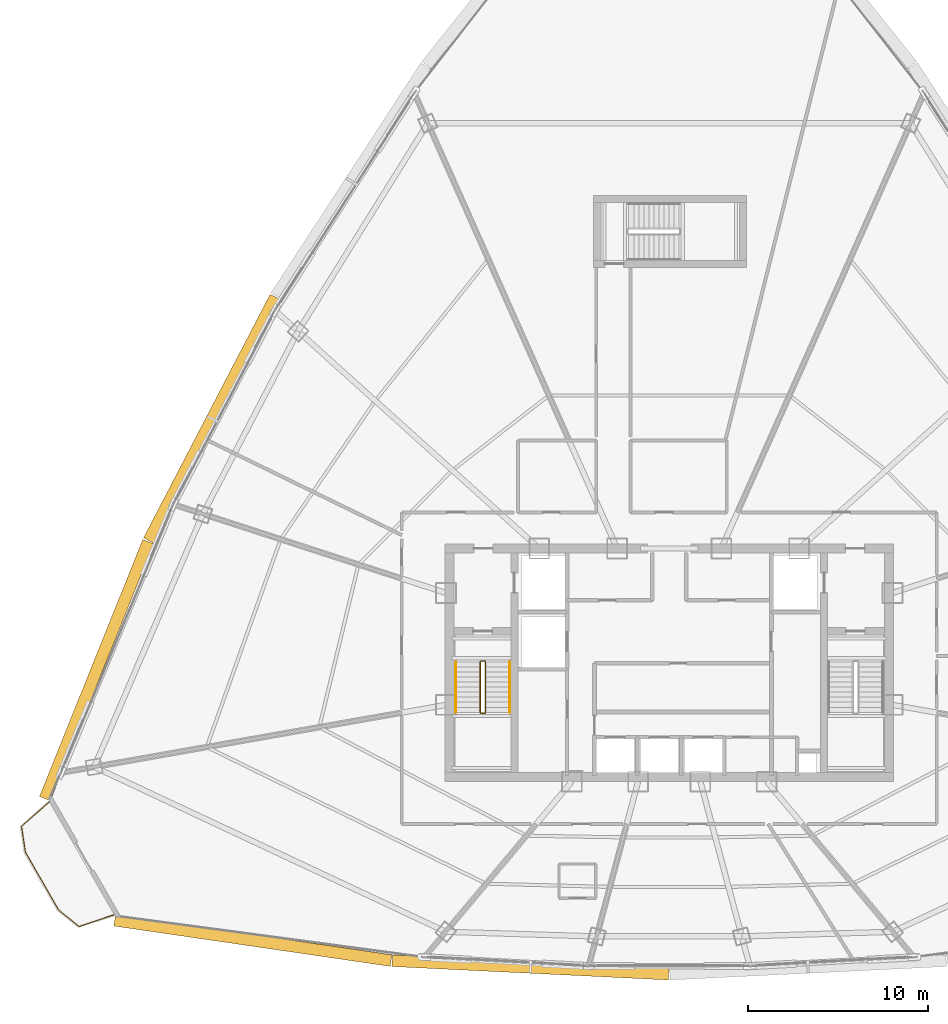
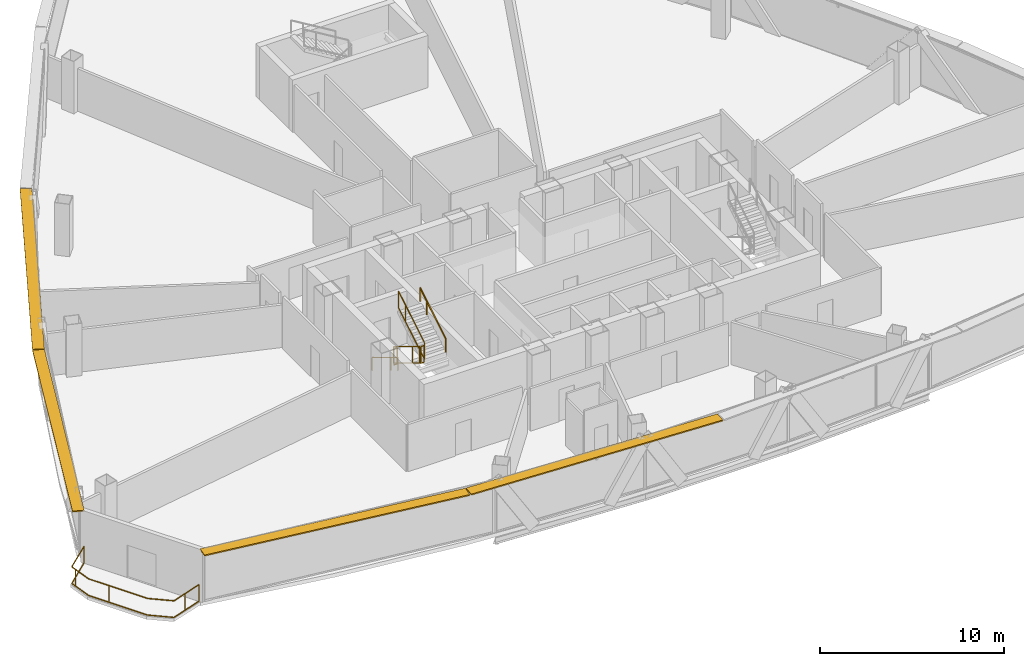
# One storey, part 34 of 37: 7 railings, 4 shading devices.
"""IFC4 building model written with IfcOpenShell, lengths in metres."""

import ifcopenshell
import ifcopenshell.guid

model = None  # the IFC model being written
_history = None  # IfcOwnerHistory: only IFC2X3 demands one
_inside = {}  # id of a spatial element -> (the spatial element, [elements in it])
_under = {}  # id of a project, library or spatial element -> (it, [spatial elements below it])
_declared = {}  # id of a project -> (the project, [libraries it declares])
_typed = {}  # id of a type object -> (the type object, [elements of that type])
_made_of = {}  # id of a material, layer set ... -> (it, [elements and type objects made of it])


def new_model(schema):
    """Start an empty IFC model of exactly this schema.

    Asked for "IFC4X3", IfcOpenShell would pick the latest addendum, in which some entities
    have other attributes; the version numbers below select the first issue.
    IFC2X3 requires an IfcOwnerHistory on every rooted entity: one is made here for all.
    """
    global model, _history
    if schema == "IFC4X3":
        model = ifcopenshell.file(schema_version=(4, 3, 0, 0))
    else:
        model = ifcopenshell.file(schema=schema)
    _inside.clear()
    _under.clear()
    _declared.clear()
    _typed.clear()
    _made_of.clear()
    _history = None
    if model.schema == "IFC2X3":
        org = make("IfcOrganization", Name="unknown")
        user = make(
            "IfcPersonAndOrganization",
            ThePerson=make("IfcPerson", FamilyName="unknown"),
            TheOrganization=org,
        )
        app = make(
            "IfcApplication",
            ApplicationDeveloper=org,
            Version="unknown",
            ApplicationFullName="unknown",
            ApplicationIdentifier="unknown",
        )
        _history = make(
            "IfcOwnerHistory",
            OwningUser=user,
            OwningApplication=app,
            ChangeAction="ADDED",
            CreationDate=0,
        )
    return model


def make(cls, **values):
    """One entity of the class cls with the attributes given. An attribute that is None is left unset."""
    return model.create_entity(
        cls, **{name: value for name, value in values.items() if value is not None}
    )


def rooted(cls, **values):
    """An entity with a GlobalId (a new one), such as an element, a storey or a relation."""
    return make(cls, GlobalId=ifcopenshell.guid.new(), OwnerHistory=_history, **values)


def si_unit(unit_type, name, prefix=None):
    """IfcSIUnit, for example si_unit("LENGTHUNIT", "METRE", prefix="MILLI")."""
    return make("IfcSIUnit", UnitType=unit_type, Prefix=prefix, Name=name)


def assignment(units):
    """IfcUnitAssignment: the units of a project."""
    return None if units is None else make("IfcUnitAssignment", Units=units)


def point(xyz):
    """IfcCartesianPoint."""
    return None if xyz is None else make("IfcCartesianPoint", Coordinates=xyz)


def direction(xyz):
    """IfcDirection."""
    return None if xyz is None else make("IfcDirection", DirectionRatios=xyz)


def frame(location, z_axis=None, x_axis=None):
    """IfcAxis2Placement3D, a coordinate frame: its origin and axes. An axis left out is left unset."""
    return make(
        "IfcAxis2Placement3D",
        Location=point(location),
        Axis=direction(z_axis),
        RefDirection=direction(x_axis),
    )


def frame_2d(location, x_axis=None):
    """IfcAxis2Placement2D, a coordinate frame in the plane: its origin and x axis."""
    return make(
        "IfcAxis2Placement2D", Location=point(location), RefDirection=direction(x_axis)
    )


def origin():
    """The frame at (0, 0, 0) with its axes left unset."""
    return frame((0.0, 0.0, 0.0))


def origin_2d():
    """The frame at (0, 0) in the plane with its x axis left unset."""
    return frame_2d((0.0, 0.0))


def place(relative_to, where):
    """IfcLocalPlacement: puts the frame where relative to a parent placement (None: the world)."""
    return make(
        "IfcLocalPlacement", PlacementRelTo=relative_to, RelativePlacement=where
    )


def context(
    kind, dimensions, precision=None, world=None, true_north=None, identifier=None
):
    """IfcGeometricRepresentationContext, for example the 3D "Model" context."""
    return make(
        "IfcGeometricRepresentationContext",
        ContextIdentifier=identifier,
        ContextType=kind,
        CoordinateSpaceDimension=dimensions,
        Precision=precision,
        WorldCoordinateSystem=world,
        TrueNorth=true_north,
    )


def subcontext(parent, identifier, kind, view, scale=None):
    """IfcGeometricRepresentationSubContext, for example "Body" below "Model"."""
    return make(
        "IfcGeometricRepresentationSubContext",
        ContextIdentifier=identifier,
        ContextType=kind,
        ParentContext=parent,
        TargetScale=scale,
        TargetView=view,
    )


def project(units=None, contexts=None):
    """IfcProject with its units and contexts."""
    return rooted(
        "IfcProject",
        Name="project",
        RepresentationContexts=contexts,
        UnitsInContext=assignment(units),
    )


def spatial(cls, under=None, at=None, **own):
    """A site, building, storey or space (cls), placed at a placement, below another one or the project."""
    s = rooted(cls, ObjectPlacement=at, **own)
    if under is not None:
        _under.setdefault(under.id(), (under, []))[1].append(s)
    return s


def profile(cls, at=None, kind="AREA", **sizes):
    """A parametric profile (cls). Its sizes go by their IFC names, for example OverallWidth=200.0."""
    return make(cls, ProfileType=kind, Position=at, **sizes)


def rectangle(**sizes):
    """IfcRectangleProfileDef."""
    return profile("IfcRectangleProfileDef", **sizes)


def extrude(swept, where, along, depth):
    """IfcExtrudedAreaSolid: the profile swept, set in the frame where, extruded along a direction by depth."""
    return make(
        "IfcExtrudedAreaSolid",
        SweptArea=swept,
        Position=where,
        ExtrudedDirection=direction(along),
        Depth=depth,
    )


def shape(context_of_items, identifier, shape_type, items):
    """IfcShapeRepresentation: the items that make up one representation, for example the "Body"."""
    return make(
        "IfcShapeRepresentation",
        ContextOfItems=context_of_items,
        RepresentationIdentifier=identifier,
        RepresentationType=shape_type,
        Items=items,
    )


def source(mapping_origin, context_of_items, identifier, shape_type, items):
    """IfcRepresentationMap: a shape defined once, which mapped items show again and again."""
    return make(
        "IfcRepresentationMap",
        MappingOrigin=mapping_origin,
        MappedRepresentation=shape(context_of_items, identifier, shape_type, items),
    )


def transform(
    local_origin,
    x_axis=None,
    y_axis=None,
    z_axis=None,
    scale=None,
    scale2=None,
    scale3=None,
    uniform=True,
):
    """IfcCartesianTransformationOperator3D, or its non-uniform kind. x_axis, y_axis, z_axis: its Axis1, 2, 3."""
    if uniform:
        return make(
            "IfcCartesianTransformationOperator3D",
            Axis1=direction(x_axis),
            Axis2=direction(y_axis),
            LocalOrigin=point(local_origin),
            Scale=scale,
            Axis3=direction(z_axis),
        )
    return make(
        "IfcCartesianTransformationOperator3DnonUniform",
        Axis1=direction(x_axis),
        Axis2=direction(y_axis),
        LocalOrigin=point(local_origin),
        Scale=scale,
        Axis3=direction(z_axis),
        Scale2=scale2,
        Scale3=scale3,
    )


def mapped(mapping_source, mapping_target):
    """IfcMappedItem: shows the shape of a source again, moved by a transform."""
    return make(
        "IfcMappedItem", MappingSource=mapping_source, MappingTarget=mapping_target
    )


def material(Name=None, Category=None):
    """IfcMaterial."""
    return make("IfcMaterial", Name=Name, Category=Category)


def layer(
    of_material, thickness, ventilated=None, Name=None, Category=None, Priority=None
):
    """IfcMaterialLayer: one layer of a wall or slab, of a material (None: an air gap)."""
    return make(
        "IfcMaterialLayer",
        Material=of_material,
        LayerThickness=thickness,
        IsVentilated=ventilated,
        Name=Name,
        Category=Category,
        Priority=Priority,
    )


def layer_set(layers, Name=None):
    """IfcMaterialLayerSet."""
    return make("IfcMaterialLayerSet", MaterialLayers=layers, LayerSetName=Name)


def made_of(thing, what):
    """Note that an element or type object is made of a material, layer set ...; save() writes the relation."""
    if what is not None:
        _made_of.setdefault(what.id(), (what, []))[1].append(thing)
    return thing


def type_object(cls, material=None, **own):
    """A type object (cls), such as IfcWallType, which elements share."""
    return made_of(rooted(cls, **own), material)


def element(
    cls,
    number,
    at=None,
    inside=None,
    cuts=None,
    type_object=None,
    material=None,
    context=None,
    identifier="Body",
    shape_type=None,
    held_by="IfcProductDefinitionShape",
    body=None,
    shapes=None,
    **own,
):
    """One element of the class cls, such as IfcWall. Its Tag is "e" and its number.

    at: its placement. inside: the storey or other place that contains it. cuts: it is an
    opening in that element (IfcRelVoidsElement). A single representation is given by context,
    identifier, shape_type and body (its items); several are given by shapes. held_by: the class
    of the entity that holds the representations. save() writes the other relations.
    """
    e = rooted(cls, Tag="e%d" % number, ObjectPlacement=at, **own)
    if body is not None:
        shapes = [shape(context, identifier, shape_type, body)]
    if shapes is not None:
        e.Representation = make(held_by, Representations=shapes)
    if inside is not None:
        _inside.setdefault(inside.id(), (inside, []))[1].append(e)
    if cuts is not None:
        rooted(
            "IfcRelVoidsElement", RelatingBuildingElement=cuts, RelatedOpeningElement=e
        )
    if type_object is not None:
        _typed.setdefault(type_object.id(), (type_object, []))[1].append(e)
    return made_of(e, material)


def aggregate(whole, parts):
    """IfcRelAggregates: a whole, such as a stair, and the parts it consists of."""
    return rooted("IfcRelAggregates", RelatingObject=whole, RelatedObjects=parts)


def save(model, path):
    """Write the relations noted so far, then the file.

    IfcRelAggregates (storeys below a building ...), IfcRelContainedInSpatialStructure (elements
    in a storey), IfcRelDefinesByType, IfcRelAssociatesMaterial and IfcRelDeclares: one each for
    every whole, place, type object, material and project.
    """
    for whole, parts in _under.values():
        aggregate(whole, parts)
    for where, things in _inside.values():
        rooted(
            "IfcRelContainedInSpatialStructure",
            RelatedElements=things,
            RelatingStructure=where,
        )
    for kind, things in _typed.values():
        rooted("IfcRelDefinesByType", RelatedObjects=things, RelatingType=kind)
    for what, things in _made_of.values():
        rooted("IfcRelAssociatesMaterial", RelatedObjects=things, RelatingMaterial=what)
    for by, libraries in _declared.values():
        rooted("IfcRelDeclares", RelatingContext=by, RelatedDefinitions=libraries)
    model.write(path)


model = new_model("IFC4")

# Units and contexts
model_context = context("Model", 3, precision=1e-05, world=origin(), true_north=direction((0.0, 1.0)))
body_context = subcontext(model_context, "Body", "Model", "MODEL_VIEW")
ifc_project = project(units=[si_unit("LENGTHUNIT", "METRE"), si_unit("AREAUNIT", "SQUARE_METRE"), si_unit("VOLUMEUNIT", "CUBIC_METRE"), si_unit("PLANEANGLEUNIT", "RADIAN"), si_unit("MASSUNIT", "GRAM", prefix="KILO"), si_unit("THERMODYNAMICTEMPERATUREUNIT", "KELVIN"), si_unit("POWERUNIT", "WATT")], contexts=[model_context])

# Site, building, storey
site_placement = place(None, origin())
site = spatial("IfcSite", under=ifc_project, at=site_placement, CompositionType="ELEMENT")
building_placement = place(site_placement, origin())
building = spatial("IfcBuilding", under=site, at=building_placement, Name="Yunzhuo Pagoda Commons", CompositionType="ELEMENT")
storey_placement = place(building_placement, frame((0.0, 0.0, 251.989990234375)))
storey = spatial("IfcBuildingStorey", under=building, at=storey_placement, Name="L63", CompositionType="ELEMENT", Elevation=251.989990234375)

# Railings
ifc_material = material(Name="Anodized aluminium 6063-T6", Category="aluminium")
railing_type_1 = type_object("IfcRailingType", Name="GR-ST1 Stair Well Guardrail 1150", PredefinedType="GUARDRAIL", material=ifc_material)
railing_1_placement = place(storey_placement, frame((37.5, 33.89990234375, 0.16943359375)))
element("IfcRailing", 1, at=railing_1_placement, inside=storey, type_object=railing_type_1, Name="L63 ST1 stair guard 1", PredefinedType="GUARDRAIL", context=body_context, shape_type="SweptSolid", body=[
    extrude(rectangle(XDim=0.048095703125, YDim=0.048095703125, at=origin_2d()), frame((0.0, 0.0, 1.1259765625), z_axis=(0.0, -0.855373106579, 0.518012401918), x_axis=(1.0, 0.0, 0.0)), (0.0, 0.0, 1.0), 3.273193359375),
    extrude(rectangle(XDim=0.048095703125, YDim=0.048095703125, at=origin_2d()), frame((0.0, 0.0, 0.02392578125), z_axis=(0.0, -0.855373106579, 0.518012401918), x_axis=(1.0, 0.0, 0.0)), (0.0, 0.0, 1.0), 3.273193359375),
    extrude(rectangle(XDim=0.0419921875, YDim=0.0419921875, at=origin_2d()), origin(), (0.0, 0.0, 1.0), 1.101806640625),
    extrude(rectangle(XDim=0.0419921875, YDim=0.0419921875, at=origin_2d()), frame((0.0, -2.052978515625, 1.2431640625)), (0.0, 0.0, 1.0), 1.101806640625),
    extrude(rectangle(XDim=0.0419921875, YDim=0.0419921875, at=origin_2d()), frame((0.0, -2.7998046875, 1.695556640625)), (0.0, 0.0, 1.0), 1.101806640625),
])
railing_2_placement = place(storey_placement, frame((37.550048828125, 31.050048828125, 1.864990234375)))
element("IfcRailing", 2, at=railing_2_placement, inside=storey, type_object=railing_type_1, Name="L63 ST1 stair guard 2", PredefinedType="GUARDRAIL", context=body_context, shape_type="SweptSolid", body=[
    extrude(rectangle(XDim=0.048095703125, YDim=0.048095703125, at=origin_2d()), frame((0.0, 0.0, 1.1259765625), z_axis=(1.0, 0.0, 0.0), x_axis=(0.0, 1.0, 0.0)), (0.0, 0.0, 1.0), 0.199951171875),
    extrude(rectangle(XDim=0.048095703125, YDim=0.048095703125, at=origin_2d()), frame((0.0, 0.0, 0.02392578125), z_axis=(1.0, 0.0, 0.0), x_axis=(0.0, 1.0, 0.0)), (0.0, 0.0, 1.0), 0.199951171875),
    extrude(rectangle(XDim=0.0419921875, YDim=0.0419921875, at=origin_2d()), origin(), (0.0, 0.0, 1.0), 1.101806640625),
    extrude(rectangle(XDim=0.0419921875, YDim=0.0419921875, at=origin_2d()), frame((0.199951171875, 0.0, 0.0)), (0.0, 0.0, 1.0), 1.101806640625),
])
railing_3_placement = place(storey_placement, frame((37.800048828125, 31.10009765625, 2.03466796875)))
element("IfcRailing", 3, at=railing_3_placement, inside=storey, type_object=railing_type_1, Name="L63 ST1 stair guard 3", PredefinedType="GUARDRAIL", context=body_context, shape_type="SweptSolid", body=[
    extrude(rectangle(XDim=0.048095703125, YDim=0.048095703125, at=origin_2d()), frame((0.0, 0.0, 1.1259765625), z_axis=(0.0, 0.855406155521, 0.517957825596), x_axis=(-1.0, 0.0, 0.0)), (0.0, 0.0, 1.0), 3.27294921875),
    extrude(rectangle(XDim=0.048095703125, YDim=0.048095703125, at=origin_2d()), frame((0.0, 0.0, 0.02392578125), z_axis=(0.0, 0.855406155521, 0.517957825596), x_axis=(-1.0, 0.0, 0.0)), (0.0, 0.0, 1.0), 3.27294921875),
    extrude(rectangle(XDim=0.0419921875, YDim=0.0419921875, at=origin_2d()), origin(), (0.0, 0.0, 1.0), 1.101806640625),
    extrude(rectangle(XDim=0.0419921875, YDim=0.0419921875, at=origin_2d()), frame((0.0, 2.052978515625, 1.2431640625)), (0.0, 0.0, 1.0), 1.101806640625),
    extrude(rectangle(XDim=0.0419921875, YDim=0.0419921875, at=origin_2d()), frame((0.0, 2.7998046875, 1.6953125)), (0.0, 0.0, 1.0), 1.101806640625),
])
railing_4_placement = place(storey_placement, frame((37.550048828125, 33.949951171875, 0.0)))
element("IfcRailing", 4, at=railing_4_placement, inside=storey, type_object=railing_type_1, Name="L63 ST1 stair guard 4", PredefinedType="GUARDRAIL", context=body_context, shape_type="SweptSolid", body=[
    extrude(rectangle(XDim=0.048095703125, YDim=0.048095703125, at=origin_2d()), frame((0.0, 0.0, 1.1259765625), z_axis=(1.0, 0.0, 0.0), x_axis=(0.0, 1.0, 0.0)), (0.0, 0.0, 1.0), 0.199951171875),
    extrude(rectangle(XDim=0.048095703125, YDim=0.048095703125, at=origin_2d()), frame((0.0, 0.0, 0.02392578125), z_axis=(1.0, 0.0, 0.0), x_axis=(0.0, 1.0, 0.0)), (0.0, 0.0, 1.0), 0.199951171875),
    extrude(rectangle(XDim=0.0419921875, YDim=0.0419921875, at=origin_2d()), origin(), (0.0, 0.0, 1.0), 1.101806640625),
    extrude(rectangle(XDim=0.0419921875, YDim=0.0419921875, at=origin_2d()), frame((0.199951171875, 0.0, 0.0)), (0.0, 0.0, 1.0), 1.101806640625),
])
railing_type_2 = type_object("IfcRailingType", Name="HR-ST1 Stair Handrail 900", PredefinedType="HANDRAIL", material=ifc_material)
railing_5_placement = place(storey_placement, frame((36.14990234375, 33.89990234375, 0.16943359375)))
element("IfcRailing", 5, at=railing_5_placement, inside=storey, type_object=railing_type_2, Name="L63 ST1 stair handrail 1", PredefinedType="HANDRAIL", context=body_context, shape_type="SweptSolid", body=[
    extrude(rectangle(XDim=0.048095703125, YDim=0.048095703125, at=origin_2d()), frame((0.0, 0.0, 0.8759765625), z_axis=(0.0, -0.855373106579, 0.518012401918), x_axis=(1.0, 0.0, 0.0)), (0.0, 0.0, 1.0), 3.273193359375),
    extrude(rectangle(XDim=0.0419921875, YDim=0.0419921875, at=origin_2d()), origin(), (0.0, 0.0, 1.0), 0.851806640625),
    extrude(rectangle(XDim=0.0419921875, YDim=0.0419921875, at=origin_2d()), frame((0.0, -2.052978515625, 1.2431640625)), (0.0, 0.0, 1.0), 0.851806640625),
    extrude(rectangle(XDim=0.0419921875, YDim=0.0419921875, at=origin_2d()), frame((0.0, -2.7998046875, 1.695556640625)), (0.0, 0.0, 1.0), 0.851806640625),
])
railing_6_placement = place(storey_placement, frame((39.14990234375, 31.10009765625, 2.03466796875)))
element("IfcRailing", 6, at=railing_6_placement, inside=storey, type_object=railing_type_2, Name="L63 ST1 stair handrail 2", PredefinedType="HANDRAIL", context=body_context, shape_type="SweptSolid", body=[
    extrude(rectangle(XDim=0.048095703125, YDim=0.048095703125, at=origin_2d()), frame((0.0, 0.0, 0.8759765625), z_axis=(0.0, 0.855406155521, 0.517957825596), x_axis=(-1.0, 0.0, 0.0)), (0.0, 0.0, 1.0), 3.27294921875),
    extrude(rectangle(XDim=0.0419921875, YDim=0.0419921875, at=origin_2d()), origin(), (0.0, 0.0, 1.0), 0.851806640625),
    extrude(rectangle(XDim=0.0419921875, YDim=0.0419921875, at=origin_2d()), frame((0.0, 2.052978515625, 1.2431640625)), (0.0, 0.0, 1.0), 0.851806640625),
    extrude(rectangle(XDim=0.0419921875, YDim=0.0419921875, at=origin_2d()), frame((0.0, 2.7998046875, 1.6953125)), (0.0, 0.0, 1.0), 0.851806640625),
])
railing_type_3 = type_object("IfcRailingType", Name="RL-BAL1 Exterior Terrace & Balcony Balustrade 1150", PredefinedType="BALUSTRADE", material=ifc_material)
railing_7_placement = place(storey_placement, frame((13.5830078125, 26.127685546875, 0.0)))
element("IfcRailing", 7, at=railing_7_placement, inside=storey, type_object=railing_type_3, Name="L63 corner balcony balustrade V1", PredefinedType="BALUSTRADE", context=body_context, shape_type="SweptSolid", body=[
    extrude(rectangle(XDim=0.048095703125, YDim=0.048095703125, at=origin_2d()), frame((0.0, 0.0, 1.1259765625), z_axis=(-0.753984993137, -0.656891642605, 0.0), x_axis=(0.656891642605, -0.753984993137, 0.0)), (0.0, 0.0, 1.0), 2.059326171875),
    extrude(rectangle(XDim=0.048095703125, YDim=0.048095703125, at=origin_2d()), frame((0.0, 0.0, 0.02392578125), z_axis=(-0.753984993137, -0.656891642605, 0.0), x_axis=(0.656891642605, -0.753984993137, 0.0)), (0.0, 0.0, 1.0), 2.059326171875),
    extrude(rectangle(XDim=0.048095703125, YDim=0.048095703125, at=origin_2d()), frame((-1.552734375, -1.352783203125, 1.1259765625), z_axis=(0.150466779766, -0.988615065729, 0.0), x_axis=(0.988615065729, 0.150466779766, 0.0)), (0.0, 0.0, 1.0), 1.465087890625),
    extrude(rectangle(XDim=0.048095703125, YDim=0.048095703125, at=origin_2d()), frame((-1.552734375, -1.352783203125, 0.02392578125), z_axis=(0.150466779766, -0.988615065729, 0.0), x_axis=(0.988615065729, 0.150466779766, 0.0)), (0.0, 0.0, 1.0), 1.465087890625),
    extrude(rectangle(XDim=0.048095703125, YDim=0.048095703125, at=origin_2d()), frame((-1.332275390625, -2.80126953125, 1.1259765625), z_axis=(0.497975284399, -0.867191222354, 0.0), x_axis=(0.867191222354, 0.497975284399, 0.0)), (0.0, 0.0, 1.0), 3.691650390625),
    extrude(rectangle(XDim=0.048095703125, YDim=0.048095703125, at=origin_2d()), frame((-1.332275390625, -2.80126953125, 0.02392578125), z_axis=(0.497975284399, -0.867191222354, 0.0), x_axis=(0.867191222354, 0.497975284399, 0.0)), (0.0, 0.0, 1.0), 3.691650390625),
    extrude(rectangle(XDim=0.048095703125, YDim=0.048095703125, at=origin_2d()), frame((0.506103515625, -6.002685546875, 1.1259765625), z_axis=(0.777884784349, -0.628406924117, 0.0), x_axis=(0.628406924117, 0.777884784349, 0.0)), (0.0, 0.0, 1.0), 1.465087890625),
    extrude(rectangle(XDim=0.048095703125, YDim=0.048095703125, at=origin_2d()), frame((0.506103515625, -6.002685546875, 0.02392578125), z_axis=(0.777884784349, -0.628406924117, 0.0), x_axis=(0.628406924117, 0.777884784349, 0.0)), (0.0, 0.0, 1.0), 1.465087890625),
    extrude(rectangle(XDim=0.048095703125, YDim=0.048095703125, at=origin_2d()), frame((1.645751953125, -6.92333984375, 1.1259765625), z_axis=(0.947419062147, 0.319995501031, 0.0), x_axis=(-0.319995501031, 0.947419062147, 0.0)), (0.0, 0.0, 1.0), 2.05908203125),
    extrude(rectangle(XDim=0.048095703125, YDim=0.048095703125, at=origin_2d()), frame((1.645751953125, -6.92333984375, 0.02392578125), z_axis=(0.947419062147, 0.319995501031, 0.0), x_axis=(-0.319995501031, 0.947419062147, 0.0)), (0.0, 0.0, 1.0), 2.05908203125),
    extrude(rectangle(XDim=0.0419921875, YDim=0.0419921875, at=origin_2d()), origin(), (0.0, 0.0, 1.0), 1.101806640625),
    extrude(rectangle(XDim=0.0419921875, YDim=0.0419921875, at=origin_2d()), frame((-1.50146484375, -1.689453125, 0.0)), (0.0, 0.0, 1.0), 1.101806640625),
    extrude(rectangle(XDim=0.0419921875, YDim=0.0419921875, at=origin_2d()), frame((-0.697021484375, -3.9072265625, 0.0)), (0.0, 0.0, 1.0), 1.101806640625),
    extrude(rectangle(XDim=0.0419921875, YDim=0.0419921875, at=origin_2d()), frame((2.51611328125, -6.62939453125, 0.0)), (0.0, 0.0, 1.0), 1.101806640625),
    extrude(rectangle(XDim=0.0419921875, YDim=0.0419921875, at=origin_2d()), frame((3.5966796875, -6.264404296875, 0.0)), (0.0, 0.0, 1.0), 1.101806640625),
])

# Shading devices
ifc_layer = layer(ifc_material, 0.080078125)
ifc_layer_set = layer_set([ifc_layer], Name="Anodized aluminium 6063-T6")
shading_device_type = type_object("IfcShadingDeviceType", Name="SH-SUN1 Pagoda Horizontal Sunshade Eave 650", PredefinedType="USERDEFINED", material=ifc_layer_set)
shared_shape_1 = source(origin(), body_context, "Body", "SweptSolid", [
    extrude(rectangle(XDim=15.513427734375, YDim=0.64990234375, at=origin_2d()), origin(), (0.0, 0.0, 1.0), 0.080078125),
])
shading_device_1_placement = place(storey_placement, frame((24.8798828125, 18.43310546875, 3.389892578125), z_axis=(0.0, 0.0, 1.0), x_axis=(0.989513187846, -0.144442552866, 0.0)))
element("IfcShadingDevice", 8, at=shading_device_1_placement, inside=storey, type_object=shading_device_type, Name="L63 horizontal pagoda sunshade eave F1.1", ObjectType="SUNSHADE", PredefinedType="USERDEFINED", context=body_context, shape_type="MappedRepresentation", body=[
    mapped(shared_shape_1, transform((0.0, 0.0, 0.0), scale=1.0)),
])
shared_shape_2 = source(origin(), body_context, "Body", "SweptSolid", [
    extrude(rectangle(XDim=15.368408203125, YDim=0.64990234375, at=origin_2d()), origin(), (0.0, 0.0, 1.0), 0.080078125),
])
shading_device_2_placement = place(storey_placement, frame((40.293212890625, 16.93310546875, 3.389892578125), z_axis=(0.0, 0.0, 1.0), x_axis=(0.998818043775, -0.04860571396, 0.0)))
element("IfcShadingDevice", 9, at=shading_device_2_placement, inside=storey, type_object=shading_device_type, Name="L63 horizontal pagoda sunshade eave F1.2", ObjectType="SUNSHADE", PredefinedType="USERDEFINED", context=body_context, shape_type="MappedRepresentation", body=[
    mapped(shared_shape_2, transform((0.0, 0.0, 0.0), scale=1.0)),
])
shared_shape_3 = source(origin(), body_context, "Body", "SweptSolid", [
    extrude(rectangle(XDim=15.388671875, YDim=0.64990234375, at=origin_2d()), origin(), (0.0, 0.0, 1.0), 0.080078125),
])
shading_device_3_placement = place(storey_placement, frame((16.19775390625, 33.444091796875, 3.389892578125), z_axis=(0.0, 0.0, 1.0), x_axis=(-0.372987782576, -0.927836253899, 0.0)))
element("IfcShadingDevice", 10, at=shading_device_3_placement, inside=storey, type_object=shading_device_type, Name="L63 horizontal pagoda sunshade eave F3.4", ObjectType="SUNSHADE", PredefinedType="USERDEFINED", context=body_context, shape_type="MappedRepresentation", body=[
    mapped(shared_shape_3, transform((0.0, 0.0, 0.0), scale=1.0)),
])
shared_shape_4 = source(origin(), body_context, "Body", "SweptSolid", [
    extrude(rectangle(XDim=15.242431640625, YDim=0.64990234375, at=origin_2d()), origin(), (0.0, 0.0, 1.0), 0.080078125),
])
shading_device_4_placement = place(storey_placement, frame((22.609130859375, 47.40283203125, 3.389892578125), z_axis=(0.0, 0.0, 1.0), x_axis=(-0.461206683033, -0.88729273384, 0.0)))
element("IfcShadingDevice", 11, at=shading_device_4_placement, inside=storey, type_object=shading_device_type, Name="L63 horizontal pagoda sunshade eave F3.3", ObjectType="SUNSHADE", PredefinedType="USERDEFINED", context=body_context, shape_type="MappedRepresentation", body=[
    mapped(shared_shape_4, transform((0.0, 0.0, 0.0), scale=1.0)),
])

save(model, "model.ifc")
